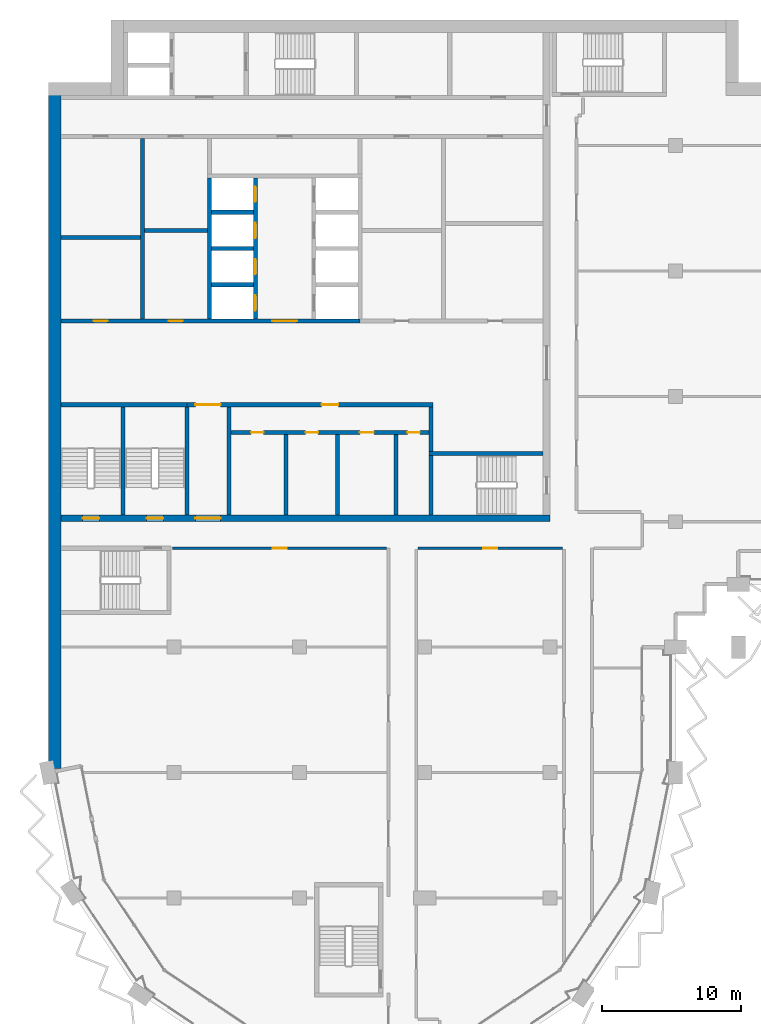
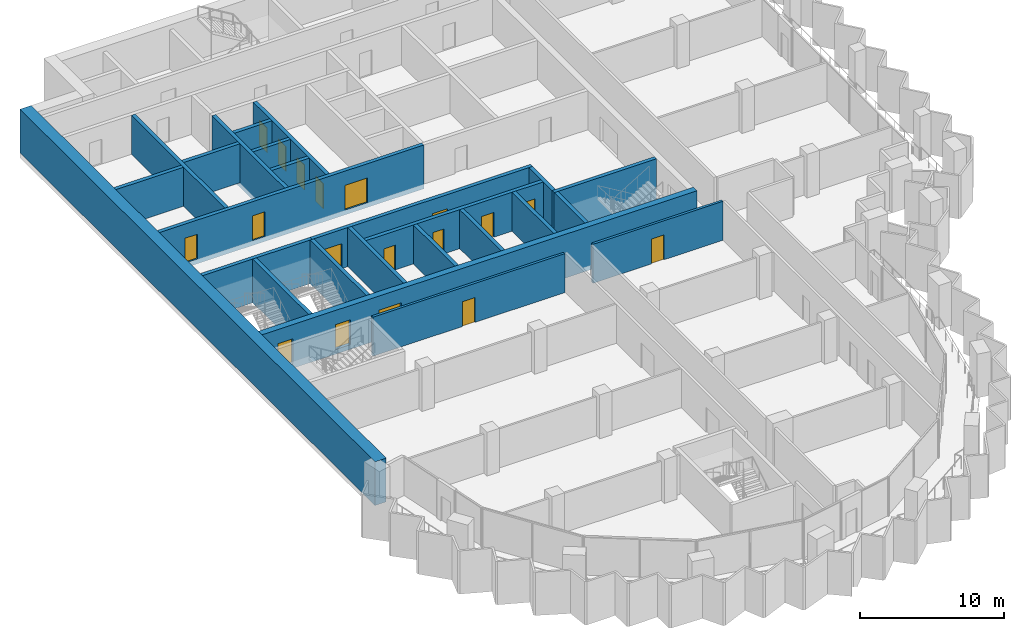
# One storey, part 7 of 15: 25 walls, 18 doors, 18 openings.
"""IFC4 building model written with IfcOpenShell, lengths in metres."""

import ifcopenshell
import ifcopenshell.guid

model = None  # the IFC model being written
_history = None  # IfcOwnerHistory: only IFC2X3 demands one
_inside = {}  # id of a spatial element -> (the spatial element, [elements in it])
_under = {}  # id of a project, library or spatial element -> (it, [spatial elements below it])
_declared = {}  # id of a project -> (the project, [libraries it declares])
_typed = {}  # id of a type object -> (the type object, [elements of that type])
_made_of = {}  # id of a material, layer set ... -> (it, [elements and type objects made of it])


def new_model(schema):
    """Start an empty IFC model of exactly this schema.

    Asked for "IFC4X3", IfcOpenShell would pick the latest addendum, in which some entities
    have other attributes; the version numbers below select the first issue.
    IFC2X3 requires an IfcOwnerHistory on every rooted entity: one is made here for all.
    """
    global model, _history
    if schema == "IFC4X3":
        model = ifcopenshell.file(schema_version=(4, 3, 0, 0))
    else:
        model = ifcopenshell.file(schema=schema)
    _inside.clear()
    _under.clear()
    _declared.clear()
    _typed.clear()
    _made_of.clear()
    _history = None
    if model.schema == "IFC2X3":
        org = make("IfcOrganization", Name="unknown")
        user = make(
            "IfcPersonAndOrganization",
            ThePerson=make("IfcPerson", FamilyName="unknown"),
            TheOrganization=org,
        )
        app = make(
            "IfcApplication",
            ApplicationDeveloper=org,
            Version="unknown",
            ApplicationFullName="unknown",
            ApplicationIdentifier="unknown",
        )
        _history = make(
            "IfcOwnerHistory",
            OwningUser=user,
            OwningApplication=app,
            ChangeAction="ADDED",
            CreationDate=0,
        )
    return model


def make(cls, **values):
    """One entity of the class cls with the attributes given. An attribute that is None is left unset."""
    return model.create_entity(
        cls, **{name: value for name, value in values.items() if value is not None}
    )


def rooted(cls, **values):
    """An entity with a GlobalId (a new one), such as an element, a storey or a relation."""
    return make(cls, GlobalId=ifcopenshell.guid.new(), OwnerHistory=_history, **values)


def si_unit(unit_type, name, prefix=None):
    """IfcSIUnit, for example si_unit("LENGTHUNIT", "METRE", prefix="MILLI")."""
    return make("IfcSIUnit", UnitType=unit_type, Prefix=prefix, Name=name)


def assignment(units):
    """IfcUnitAssignment: the units of a project."""
    return None if units is None else make("IfcUnitAssignment", Units=units)


def point(xyz):
    """IfcCartesianPoint."""
    return None if xyz is None else make("IfcCartesianPoint", Coordinates=xyz)


def direction(xyz):
    """IfcDirection."""
    return None if xyz is None else make("IfcDirection", DirectionRatios=xyz)


def frame(location, z_axis=None, x_axis=None):
    """IfcAxis2Placement3D, a coordinate frame: its origin and axes. An axis left out is left unset."""
    return make(
        "IfcAxis2Placement3D",
        Location=point(location),
        Axis=direction(z_axis),
        RefDirection=direction(x_axis),
    )


def frame_2d(location, x_axis=None):
    """IfcAxis2Placement2D, a coordinate frame in the plane: its origin and x axis."""
    return make(
        "IfcAxis2Placement2D", Location=point(location), RefDirection=direction(x_axis)
    )


def origin():
    """The frame at (0, 0, 0) with its axes left unset."""
    return frame((0.0, 0.0, 0.0))


def place(relative_to, where):
    """IfcLocalPlacement: puts the frame where relative to a parent placement (None: the world)."""
    return make(
        "IfcLocalPlacement", PlacementRelTo=relative_to, RelativePlacement=where
    )


def context(
    kind, dimensions, precision=None, world=None, true_north=None, identifier=None
):
    """IfcGeometricRepresentationContext, for example the 3D "Model" context."""
    return make(
        "IfcGeometricRepresentationContext",
        ContextIdentifier=identifier,
        ContextType=kind,
        CoordinateSpaceDimension=dimensions,
        Precision=precision,
        WorldCoordinateSystem=world,
        TrueNorth=true_north,
    )


def subcontext(parent, identifier, kind, view, scale=None):
    """IfcGeometricRepresentationSubContext, for example "Body" below "Model"."""
    return make(
        "IfcGeometricRepresentationSubContext",
        ContextIdentifier=identifier,
        ContextType=kind,
        ParentContext=parent,
        TargetScale=scale,
        TargetView=view,
    )


def project(units=None, contexts=None):
    """IfcProject with its units and contexts."""
    return rooted(
        "IfcProject",
        Name="project",
        RepresentationContexts=contexts,
        UnitsInContext=assignment(units),
    )


def spatial(cls, under=None, at=None, **own):
    """A site, building, storey or space (cls), placed at a placement, below another one or the project."""
    s = rooted(cls, ObjectPlacement=at, **own)
    if under is not None:
        _under.setdefault(under.id(), (under, []))[1].append(s)
    return s


def profile(cls, at=None, kind="AREA", **sizes):
    """A parametric profile (cls). Its sizes go by their IFC names, for example OverallWidth=200.0."""
    return make(cls, ProfileType=kind, Position=at, **sizes)


def rectangle(**sizes):
    """IfcRectangleProfileDef."""
    return profile("IfcRectangleProfileDef", **sizes)


def extrude(swept, where, along, depth):
    """IfcExtrudedAreaSolid: the profile swept, set in the frame where, extruded along a direction by depth."""
    return make(
        "IfcExtrudedAreaSolid",
        SweptArea=swept,
        Position=where,
        ExtrudedDirection=direction(along),
        Depth=depth,
    )


def shape(context_of_items, identifier, shape_type, items):
    """IfcShapeRepresentation: the items that make up one representation, for example the "Body"."""
    return make(
        "IfcShapeRepresentation",
        ContextOfItems=context_of_items,
        RepresentationIdentifier=identifier,
        RepresentationType=shape_type,
        Items=items,
    )


def material(Name=None, Category=None):
    """IfcMaterial."""
    return make("IfcMaterial", Name=Name, Category=Category)


def layer(
    of_material, thickness, ventilated=None, Name=None, Category=None, Priority=None
):
    """IfcMaterialLayer: one layer of a wall or slab, of a material (None: an air gap)."""
    return make(
        "IfcMaterialLayer",
        Material=of_material,
        LayerThickness=thickness,
        IsVentilated=ventilated,
        Name=Name,
        Category=Category,
        Priority=Priority,
    )


def layer_set(layers, Name=None):
    """IfcMaterialLayerSet."""
    return make("IfcMaterialLayerSet", MaterialLayers=layers, LayerSetName=Name)


def made_of(thing, what):
    """Note that an element or type object is made of a material, layer set ...; save() writes the relation."""
    if what is not None:
        _made_of.setdefault(what.id(), (what, []))[1].append(thing)
    return thing


def type_object(cls, material=None, **own):
    """A type object (cls), such as IfcWallType, which elements share."""
    return made_of(rooted(cls, **own), material)


def element(
    cls,
    number,
    at=None,
    inside=None,
    cuts=None,
    type_object=None,
    material=None,
    context=None,
    identifier="Body",
    shape_type=None,
    held_by="IfcProductDefinitionShape",
    body=None,
    shapes=None,
    **own,
):
    """One element of the class cls, such as IfcWall. Its Tag is "e" and its number.

    at: its placement. inside: the storey or other place that contains it. cuts: it is an
    opening in that element (IfcRelVoidsElement). A single representation is given by context,
    identifier, shape_type and body (its items); several are given by shapes. held_by: the class
    of the entity that holds the representations. save() writes the other relations.
    """
    e = rooted(cls, Tag="e%d" % number, ObjectPlacement=at, **own)
    if body is not None:
        shapes = [shape(context, identifier, shape_type, body)]
    if shapes is not None:
        e.Representation = make(held_by, Representations=shapes)
    if inside is not None:
        _inside.setdefault(inside.id(), (inside, []))[1].append(e)
    if cuts is not None:
        rooted(
            "IfcRelVoidsElement", RelatingBuildingElement=cuts, RelatedOpeningElement=e
        )
    if type_object is not None:
        _typed.setdefault(type_object.id(), (type_object, []))[1].append(e)
    return made_of(e, material)


def fill(opening, filler):
    """IfcRelFillsElement: the door or window that sits in an opening."""
    return rooted(
        "IfcRelFillsElement",
        RelatingOpeningElement=opening,
        RelatedBuildingElement=filler,
    )


def aggregate(whole, parts):
    """IfcRelAggregates: a whole, such as a stair, and the parts it consists of."""
    return rooted("IfcRelAggregates", RelatingObject=whole, RelatedObjects=parts)


def save(model, path):
    """Write the relations noted so far, then the file.

    IfcRelAggregates (storeys below a building ...), IfcRelContainedInSpatialStructure (elements
    in a storey), IfcRelDefinesByType, IfcRelAssociatesMaterial and IfcRelDeclares: one each for
    every whole, place, type object, material and project.
    """
    for whole, parts in _under.values():
        aggregate(whole, parts)
    for where, things in _inside.values():
        rooted(
            "IfcRelContainedInSpatialStructure",
            RelatedElements=things,
            RelatingStructure=where,
        )
    for kind, things in _typed.values():
        rooted("IfcRelDefinesByType", RelatedObjects=things, RelatingType=kind)
    for what, things in _made_of.values():
        rooted("IfcRelAssociatesMaterial", RelatedObjects=things, RelatingMaterial=what)
    for by, libraries in _declared.values():
        rooted("IfcRelDeclares", RelatingContext=by, RelatedDefinitions=libraries)
    model.write(path)


model = new_model("IFC4")

# Units and contexts
model_context = context("Model", 3, precision=1e-05, world=origin(), true_north=direction((0.0, 1.0)))
body_context = subcontext(model_context, "Body", "Model", "MODEL_VIEW")
ifc_project = project(units=[si_unit("LENGTHUNIT", "METRE"), si_unit("AREAUNIT", "SQUARE_METRE"), si_unit("VOLUMEUNIT", "CUBIC_METRE"), si_unit("PLANEANGLEUNIT", "RADIAN"), si_unit("MASSUNIT", "GRAM", prefix="KILO")], contexts=[model_context])

# Site, building, storey
site_placement = place(None, origin())
site = spatial("IfcSite", under=ifc_project, at=site_placement, CompositionType="ELEMENT")
building_placement = place(site_placement, origin())
building = spatial("IfcBuilding", under=site, at=building_placement, Name="Hunhe Ridgeline Campus", CompositionType="ELEMENT")
storey_placement = place(building_placement, frame((0.0, 0.0, 231.800048828125)))
storey = spatial("IfcBuildingStorey", under=building, at=storey_placement, Name="L59", CompositionType="ELEMENT", Elevation=231.800048828125)

# Wall, openings, doors
ifc_material_1 = material(Name="Masonry concrete blockwork", Category="masonry")
ifc_layer_1 = layer(ifc_material_1, 0.300048828125)
ifc_layer_set_1 = layer_set([ifc_layer_1], Name="Core room partition 300 concrete block")
wall_type_1 = type_object("IfcWallType", Name="Core room partition 300 concrete block", PredefinedType="PARTITIONING", material=ifc_layer_set_1)
wall_1_placement = place(storey_placement, frame((13.10009765625, 69.39990234375, 0.0), z_axis=(0.0, 0.0, 1.0), x_axis=(1.0, 0.0, 0.0)))
wall_1 = element("IfcWall", 1, at=wall_1_placement, inside=storey, type_object=wall_type_1, Name="L59 core partition 7", PredefinedType="PARTITIONING", context=body_context, shape_type="SweptSolid", body=[
    extrude(rectangle(XDim=14.199951171875, YDim=0.300048828125, at=frame_2d((7.10009765625, 0.0))), origin(), (0.0, 0.0, 1.0), 3.300048828125),
])
opening_1_placement = place(wall_1_placement, frame((1.449951171875, 0.0, 0.0)))
opening_1 = element("IfcOpeningElement", 2, at=opening_1_placement, cuts=wall_1, Name="Opening CD8", PredefinedType="OPENING", context=body_context, shape_type="SweptSolid", body=[
    extrude(rectangle(XDim=0.89990234375, YDim=2.10009765625, at=frame_2d((0.449951171875, 1.050048828125))), frame((0.0, 0.14990234375, 0.0), z_axis=(0.0, -1.0, 0.0), x_axis=(1.0, 0.0, 0.0)), (0.0, 0.0, 1.0), 0.300048828125),
])
opening_2_placement = place(wall_1_placement, frame((5.35009765625, 0.0, 0.0)))
opening_2 = element("IfcOpeningElement", 3, at=opening_2_placement, cuts=wall_1, Name="Opening CD9", PredefinedType="OPENING", context=body_context, shape_type="SweptSolid", body=[
    extrude(rectangle(XDim=0.89990234375, YDim=2.10009765625, at=frame_2d((0.449951171875, 1.050048828125))), frame((0.0, 0.14990234375, 0.0), z_axis=(0.0, -1.0, 0.0), x_axis=(1.0, 0.0, 0.0)), (0.0, 0.0, 1.0), 0.300048828125),
])
opening_3_placement = place(wall_1_placement, frame((9.25, 0.0, 0.0)))
opening_3 = element("IfcOpeningElement", 4, at=opening_3_placement, cuts=wall_1, Name="Opening CD10", PredefinedType="OPENING", context=body_context, shape_type="SweptSolid", body=[
    extrude(rectangle(XDim=1.0, YDim=2.10009765625, at=frame_2d((0.5, 1.050048828125))), frame((0.0, 0.14990234375, 0.0), z_axis=(0.0, -1.0, 0.0), x_axis=(1.0, 0.0, 0.0)), (0.0, 0.0, 1.0), 0.300048828125),
])
opening_4_placement = place(wall_1_placement, frame((12.64990234375, 0.0, 0.0)))
opening_4 = element("IfcOpeningElement", 5, at=opening_4_placement, cuts=wall_1, Name="Opening CD11", PredefinedType="OPENING", context=body_context, shape_type="SweptSolid", body=[
    extrude(rectangle(XDim=0.89990234375, YDim=2.10009765625, at=frame_2d((0.449951171875, 1.050048828125))), frame((0.0, 0.14990234375, 0.0), z_axis=(0.0, -1.0, 0.0), x_axis=(1.0, 0.0, 0.0)), (0.0, 0.0, 1.0), 0.300048828125),
])
ifc_material_2 = material(Name="Solid core timber door leaf", Category="wood")
door_type_1 = type_object("IfcDoorType", Name="Timber door 1000x2100", OperationType="SINGLE_SWING_LEFT", PredefinedType="DOOR", material=ifc_material_2)
door_1_placement = place(opening_3_placement, frame((1.0, 0.0, 0.0), z_axis=(0.0, 0.0, 1.0), x_axis=(-1.0, 0.0, 0.0)))
door_1 = element("IfcDoor", 6, at=door_1_placement, inside=storey, type_object=door_type_1, Name="L59 door WC3", OperationType="SINGLE_SWING_LEFT", OverallHeight=2.10009765625, OverallWidth=1.0, PredefinedType="DOOR", context=body_context, shape_type="SweptSolid", body=[
    extrude(rectangle(XDim=1.0, YDim=2.10009765625, at=frame_2d((0.5, 1.050048828125))), frame((0.0, 0.02490234375, 0.0), z_axis=(0.0, -1.0, 0.0), x_axis=(1.0, 0.0, 0.0)), (0.0, 0.0, 1.0), 0.050048828125),
])
fill(opening_3, door_1)
door_type_2 = type_object("IfcDoorType", Name="Timber door 900x2100", OperationType="SINGLE_SWING_LEFT", PredefinedType="DOOR", material=ifc_material_2)
door_2_placement = place(opening_1_placement, frame((0.89990234375, 0.0, 0.0), z_axis=(0.0, 0.0, 1.0), x_axis=(-1.0, 0.0, 0.0)))
door_2 = element("IfcDoor", 7, at=door_2_placement, inside=storey, type_object=door_type_2, Name="L59 door WC1", OperationType="SINGLE_SWING_LEFT", OverallHeight=2.10009765625, OverallWidth=0.89990234375, PredefinedType="DOOR", context=body_context, shape_type="SweptSolid", body=[
    extrude(rectangle(XDim=0.89990234375, YDim=2.10009765625, at=frame_2d((0.449951171875, 1.050048828125))), frame((0.0, 0.02490234375, 0.0), z_axis=(0.0, -1.0, 0.0), x_axis=(1.0, 0.0, 0.0)), (0.0, 0.0, 1.0), 0.050048828125),
])
fill(opening_1, door_2)
door_3_placement = place(opening_2_placement, frame((0.89990234375, 0.0, 0.0), z_axis=(0.0, 0.0, 1.0), x_axis=(-1.0, 0.0, 0.0)))
door_3 = element("IfcDoor", 8, at=door_3_placement, inside=storey, type_object=door_type_2, Name="L59 door WC2", OperationType="SINGLE_SWING_RIGHT", OverallHeight=2.10009765625, OverallWidth=0.89990234375, PredefinedType="DOOR", context=body_context, shape_type="SweptSolid", body=[
    extrude(rectangle(XDim=0.89990234375, YDim=2.10009765625, at=frame_2d((0.449951171875, 1.050048828125))), frame((0.0, 0.02490234375, 0.0), z_axis=(0.0, -1.0, 0.0), x_axis=(1.0, 0.0, 0.0)), (0.0, 0.0, 1.0), 0.050048828125),
])
fill(opening_2, door_3)
door_4_placement = place(opening_4_placement, frame((0.89990234375, 0.0, 0.0), z_axis=(0.0, 0.0, 1.0), x_axis=(-1.0, 0.0, 0.0)))
door_4 = element("IfcDoor", 9, at=door_4_placement, inside=storey, type_object=door_type_2, Name="L59 door WC4", OperationType="SINGLE_SWING_RIGHT", OverallHeight=2.10009765625, OverallWidth=0.89990234375, PredefinedType="DOOR", context=body_context, shape_type="SweptSolid", body=[
    extrude(rectangle(XDim=0.89990234375, YDim=2.10009765625, at=frame_2d((0.449951171875, 1.050048828125))), frame((0.0, 0.02490234375, 0.0), z_axis=(0.0, -1.0, 0.0), x_axis=(1.0, 0.0, 0.0)), (0.0, 0.0, 1.0), 0.050048828125),
])
fill(opening_4, door_4)

wall_2_placement = place(storey_placement, frame((9.949951171875, 71.39990234375, 0.0), z_axis=(0.0, 0.0, 1.0), x_axis=(1.0, 0.0, 0.0)))
wall_2 = element("IfcWall", 10, at=wall_2_placement, inside=storey, type_object=wall_type_1, Name="L59 core partition 9", PredefinedType="PARTITIONING", context=body_context, shape_type="SweptSolid", body=[
    extrude(rectangle(XDim=17.650146484375, YDim=0.300048828125, at=frame_2d((8.8251953125, 0.0))), origin(), (0.0, 0.0, 1.0), 3.300048828125),
])
opening_5_placement = place(wall_2_placement, frame((0.60009765625, 0.0, 0.0)))
opening_5 = element("IfcOpeningElement", 11, at=opening_5_placement, cuts=wall_2, Name="Opening CD7", PredefinedType="OPENING", context=body_context, shape_type="SweptSolid", body=[
    extrude(rectangle(XDim=1.800048828125, YDim=2.10009765625, at=frame_2d((0.89990234375, 1.050048828125))), frame((0.0, 0.14990234375, 0.0), z_axis=(0.0, -1.0, 0.0), x_axis=(1.0, 0.0, 0.0)), (0.0, 0.0, 1.0), 0.300048828125),
])
opening_6_placement = place(wall_2_placement, frame((9.64990234375, 0.0, 0.0)))
opening_6 = element("IfcOpeningElement", 12, at=opening_6_placement, cuts=wall_2, Name="Opening CD12", PredefinedType="OPENING", context=body_context, shape_type="SweptSolid", body=[
    extrude(rectangle(XDim=1.199951171875, YDim=2.10009765625, at=frame_2d((0.60009765625, 1.050048828125))), frame((0.0, 0.14990234375, 0.0), z_axis=(0.0, -1.0, 0.0), x_axis=(1.0, 0.0, 0.0)), (0.0, 0.0, 1.0), 0.300048828125),
])
ifc_material_3 = material(Name="Anodised aluminium and glass", Category="aluminium")
door_type_3 = type_object("IfcDoorType", Name="Glazed double door 1800x2100", OperationType="DOUBLE_DOOR_SINGLE_SWING", PredefinedType="DOOR", material=ifc_material_3)
door_5_placement = place(opening_5_placement, origin())
door_5 = element("IfcDoor", 13, at=door_5_placement, inside=storey, type_object=door_type_3, Name="L59 door VEST-HALL", OperationType="DOUBLE_DOOR_SINGLE_SWING", OverallHeight=2.10009765625, OverallWidth=1.800048828125, PredefinedType="DOOR", context=body_context, shape_type="SweptSolid", body=[
    extrude(rectangle(XDim=1.800048828125, YDim=2.10009765625, at=frame_2d((0.89990234375, 1.050048828125))), frame((0.0, 0.02490234375, 0.0), z_axis=(0.0, -1.0, 0.0), x_axis=(1.0, 0.0, 0.0)), (0.0, 0.0, 1.0), 0.050048828125),
])
fill(opening_5, door_5)
door_type_4 = type_object("IfcDoorType", Name="Timber door 1200x2100", OperationType="SINGLE_SWING_LEFT", PredefinedType="DOOR", material=ifc_material_2)
door_6_placement = place(opening_6_placement, origin())
door_6 = element("IfcDoor", 14, at=door_6_placement, inside=storey, type_object=door_type_4, Name="L59 door WCL2-HALL", OperationType="SINGLE_SWING_RIGHT", OverallHeight=2.10009765625, OverallWidth=1.199951171875, PredefinedType="DOOR", context=body_context, shape_type="SweptSolid", body=[
    extrude(rectangle(XDim=1.199951171875, YDim=2.10009765625, at=frame_2d((0.60009765625, 1.050048828125))), frame((0.0, 0.02490234375, 0.0), z_axis=(0.0, -1.0, 0.0), x_axis=(1.0, 0.0, 0.0)), (0.0, 0.0, 1.0), 0.050048828125),
])
fill(opening_6, door_6)

# Walls
wall_3_placement = place(storey_placement, frame((0.89990234375, 83.39990234375, 0.0), z_axis=(0.0, 0.0, 1.0), x_axis=(1.0, 0.0, 0.0)))
element("IfcWall", 15, at=wall_3_placement, inside=storey, type_object=wall_type_1, Name="L59 core partition 16", PredefinedType="PARTITIONING", context=body_context, shape_type="SweptSolid", body=[
    extrude(rectangle(XDim=5.7001953125, YDim=0.300048828125, at=frame_2d((2.85009765625, 0.0))), origin(), (0.0, 0.0, 1.0), 3.300048828125),
])
wall_4_placement = place(storey_placement, frame((6.89990234375, 83.89990234375, 0.0), z_axis=(0.0, 0.0, 1.0), x_axis=(1.0, 0.0, 0.0)))
element("IfcWall", 16, at=wall_4_placement, inside=storey, type_object=wall_type_1, Name="L59 core partition 17", PredefinedType="PARTITIONING", context=body_context, shape_type="SweptSolid", body=[
    extrude(rectangle(XDim=4.5, YDim=0.300048828125, at=frame_2d((2.25, 0.0))), origin(), (0.0, 0.0, 1.0), 3.300048828125),
])
wall_5_placement = place(storey_placement, frame((6.75, 77.550048828125, 0.0), z_axis=(0.0, 0.0, 1.0), x_axis=(0.0, 1.0, 0.0)))
element("IfcWall", 17, at=wall_5_placement, inside=storey, type_object=wall_type_1, Name="L59 core partition 29", PredefinedType="PARTITIONING", context=body_context, shape_type="SweptSolid", body=[
    extrude(rectangle(XDim=12.949951171875, YDim=0.300048828125, at=frame_2d((6.47509765625, 0.0))), origin(), (0.0, 0.0, 1.0), 3.300048828125),
])
wall_6_placement = place(storey_placement, frame((12.949951171875, 63.5, 0.0), z_axis=(0.0, 0.0, 1.0), x_axis=(0.0, 1.0, 0.0)))
element("IfcWall", 18, at=wall_6_placement, inside=storey, type_object=wall_type_1, Name="L59 core partition 35", PredefinedType="PARTITIONING", context=body_context, shape_type="SweptSolid", body=[
    extrude(rectangle(XDim=7.75, YDim=0.300048828125, at=frame_2d((3.875, 0.0))), origin(), (0.0, 0.0, 1.0), 3.300048828125),
])
for number, where, z_axis, x_axis, name in (
    (19, (17.050048828125, 63.5, 0.0), (0.0, 0.0, 1.0), (0.0, 1.0, 0.0), "L59 core partition 38"),
    (20, (20.75, 63.5, 0.0), (0.0, 0.0, 1.0), (0.0, 1.0, 0.0), "L59 core partition 41"),
    (21, (24.949951171875, 63.5, 0.0), (0.0, 0.0, 1.0), (0.0, 1.0, 0.0), "L59 core partition 46"),
):
    element("IfcWall", number, at=place(storey_placement, frame(where, z_axis=z_axis, x_axis=x_axis)), inside=storey, type_object=wall_type_1, Name=name, PredefinedType="PARTITIONING", context=body_context, shape_type="SweptSolid", body=[
        extrude(rectangle(XDim=5.75, YDim=0.300048828125, at=frame_2d((2.875, 0.0))), origin(), (0.0, 0.0, 1.0), 3.300048828125),
    ])
wall_7_placement = place(storey_placement, frame((27.449951171875, 68.050048828125, 0.0), z_axis=(0.0, 0.0, 1.0), x_axis=(0.0, 1.0, 0.0)))
element("IfcWall", 22, at=wall_7_placement, inside=storey, type_object=wall_type_1, Name="L59 core partition 48", PredefinedType="PARTITIONING", context=body_context, shape_type="SweptSolid", body=[
    extrude(rectangle(XDim=3.199951171875, YDim=0.300048828125, at=frame_2d((1.60009765625, 0.0))), origin(), (0.0, 0.0, 1.0), 3.300048828125),
])

# Wall, openings, doors
ifc_material_4 = material(Name="Concrete C50", Category="concrete")
ifc_layer_2 = layer(ifc_material_4, 0.5)
ifc_layer_set_2 = layer_set([ifc_layer_2], Name="Core wall 500 reinforced concrete C50")
wall_type_2 = type_object("IfcWallType", Name="Core wall 500 reinforced concrete C50", PredefinedType="SOLIDWALL", material=ifc_layer_set_2)
wall_8_placement = place(storey_placement, frame((0.89990234375, 63.25, -0.400146484375), z_axis=(0.0, 0.0, 1.0), x_axis=(1.0, 0.0, 0.0)))
wall_8 = element("IfcWall", 23, at=wall_8_placement, inside=storey, type_object=wall_type_2, Name="L59 core wall 5", PredefinedType="SOLIDWALL", context=body_context, shape_type="SweptSolid", body=[
    extrude(rectangle(XDim=35.10009765625, YDim=0.5, at=frame_2d((17.550048828125, 0.0))), origin(), (0.0, 0.0, 1.0), 3.7001953125),
])
opening_7_placement = place(wall_8_placement, frame((9.64990234375, 0.0, 0.39990234375)))
opening_7 = element("IfcOpeningElement", 24, at=opening_7_placement, cuts=wall_8, Name="Opening CD6", PredefinedType="OPENING", context=body_context, shape_type="SweptSolid", body=[
    extrude(rectangle(XDim=1.800048828125, YDim=2.10009765625, at=frame_2d((0.89990234375, 1.050048828125))), frame((0.0, 0.25, 0.0), z_axis=(0.0, -1.0, 0.0), x_axis=(1.0, 0.0, 0.0)), (0.0, 0.0, 1.0), 0.5),
])
opening_8_placement = place(wall_8_placement, frame((1.550048828125, 0.0, 0.39990234375)))
opening_8 = element("IfcOpeningElement", 25, at=opening_8_placement, cuts=wall_8, Name="Opening CD13", PredefinedType="OPENING", context=body_context, shape_type="SweptSolid", body=[
    extrude(rectangle(XDim=1.199951171875, YDim=2.10009765625, at=frame_2d((0.60009765625, 1.050048828125))), frame((0.0, 0.25, 0.0), z_axis=(0.0, -1.0, 0.0), x_axis=(1.0, 0.0, 0.0)), (0.0, 0.0, 1.0), 0.5),
])
opening_9_placement = place(wall_8_placement, frame((6.14990234375, 0.0, 0.39990234375)))
opening_9 = element("IfcOpeningElement", 26, at=opening_9_placement, cuts=wall_8, Name="Opening CD14", PredefinedType="OPENING", context=body_context, shape_type="SweptSolid", body=[
    extrude(rectangle(XDim=1.199951171875, YDim=2.10009765625, at=frame_2d((0.60009765625, 1.050048828125))), frame((0.0, 0.25, 0.0), z_axis=(0.0, -1.0, 0.0), x_axis=(1.0, 0.0, 0.0)), (0.0, 0.0, 1.0), 0.5),
])
door_7_placement = place(opening_7_placement, frame((1.800048828125, 0.0, 0.0), z_axis=(0.0, 0.0, 1.0), x_axis=(-1.0, 0.0, 0.0)))
door_7 = element("IfcDoor", 27, at=door_7_placement, inside=storey, type_object=door_type_3, Name="L59 door VEST-FLOOR", OperationType="DOUBLE_DOOR_SINGLE_SWING", OverallHeight=2.10009765625, OverallWidth=1.800048828125, PredefinedType="DOOR", context=body_context, shape_type="SweptSolid", body=[
    extrude(rectangle(XDim=1.800048828125, YDim=2.10009765625, at=frame_2d((0.89990234375, 1.050048828125))), frame((0.0, 0.02490234375, 0.0), z_axis=(0.0, -1.0, 0.0), x_axis=(1.0, 0.0, 0.0)), (0.0, 0.0, 1.0), 0.050048828125),
])
fill(opening_7, door_7)
ifc_material_5 = material(Name="Hollow metal fire door leaf")
door_type_5 = type_object("IfcDoorType", Name="Stair door 1200x2100 FD60", OperationType="SINGLE_SWING_LEFT", PredefinedType="DOOR", material=ifc_material_5)
door_8_placement = place(opening_8_placement, frame((1.199951171875, 0.0, 0.0), z_axis=(0.0, 0.0, 1.0), x_axis=(-1.0, 0.0, 0.0)))
door_8 = element("IfcDoor", 28, at=door_8_placement, inside=storey, type_object=door_type_5, Name="L59 door S3", OperationType="SINGLE_SWING_LEFT", OverallHeight=2.10009765625, OverallWidth=1.199951171875, PredefinedType="DOOR", context=body_context, shape_type="SweptSolid", body=[
    extrude(rectangle(XDim=1.199951171875, YDim=2.10009765625, at=frame_2d((0.60009765625, 1.050048828125))), frame((0.0, 0.02490234375, 0.0), z_axis=(0.0, -1.0, 0.0), x_axis=(1.0, 0.0, 0.0)), (0.0, 0.0, 1.0), 0.050048828125),
])
fill(opening_8, door_8)
door_9_placement = place(opening_9_placement, frame((1.199951171875, 0.0, 0.0), z_axis=(0.0, 0.0, 1.0), x_axis=(-1.0, 0.0, 0.0)))
door_9 = element("IfcDoor", 29, at=door_9_placement, inside=storey, type_object=door_type_5, Name="L59 door S4", OperationType="SINGLE_SWING_RIGHT", OverallHeight=2.10009765625, OverallWidth=1.199951171875, PredefinedType="DOOR", context=body_context, shape_type="SweptSolid", body=[
    extrude(rectangle(XDim=1.199951171875, YDim=2.10009765625, at=frame_2d((0.60009765625, 1.050048828125))), frame((0.0, 0.02490234375, 0.0), z_axis=(0.0, -1.0, 0.0), x_axis=(1.0, 0.0, 0.0)), (0.0, 0.0, 1.0), 0.050048828125),
])
fill(opening_9, door_9)

# Wall, opening, door
ifc_material_6 = material(Name="Gypsum board partition")
ifc_layer_3 = layer(ifc_material_6, 0.199951171875)
ifc_layer_set_3 = layer_set([ifc_layer_3], Name="Corridor partition 200 gypsum board on steel studs")
wall_type_3 = type_object("IfcWallType", Name="Corridor partition 200 gypsum board on steel studs", PredefinedType="PARTITIONING", material=ifc_layer_set_3)
wall_9_placement = place(storey_placement, frame((24.265380859375, 61.10009765625, 0.0), z_axis=(0.0, 0.0, 1.0), x_axis=(-1.0, 0.0, 0.0)))
wall_9 = element("IfcWall", 30, at=wall_9_placement, inside=storey, type_object=wall_type_3, Name="F-L59-wall-019", PredefinedType="PARTITIONING", context=body_context, shape_type="SweptSolid", body=[
    extrude(rectangle(XDim=15.361328125, YDim=0.199951171875, at=frame_2d((7.6806640625, 0.0))), origin(), (0.0, 0.0, 1.0), 3.300048828125),
])
opening_10_placement = place(wall_9_placement, frame((7.1806640625, 0.0, 0.0)))
opening_10 = element("IfcOpeningElement", 31, at=opening_10_placement, cuts=wall_9, Name="Opening RD1-011", PredefinedType="OPENING", context=body_context, shape_type="SweptSolid", body=[
    extrude(rectangle(XDim=1.0, YDim=2.10009765625, at=frame_2d((0.5, 1.050048828125))), frame((0.0, 0.10009765625, 0.0), z_axis=(0.0, -1.0, 0.0), x_axis=(1.0, 0.0, 0.0)), (0.0, 0.0, 1.0), 0.199951171875),
])
ifc_material_7 = material(Name="Timber door leaf", Category="wood")
door_type_6 = type_object("IfcDoorType", Name="Single fire door 1000x2100 timber FD60", OperationType="NOTDEFINED", PredefinedType="DOOR", material=ifc_material_7)
door_10_placement = place(opening_10_placement, origin())
door_10 = element("IfcDoor", 32, at=door_10_placement, inside=storey, type_object=door_type_6, Name="F-L59-door-011", OperationType="SINGLE_SWING_LEFT", OverallHeight=2.10009765625, OverallWidth=1.0, PredefinedType="DOOR", context=body_context, shape_type="SweptSolid", body=[
    extrude(rectangle(XDim=1.0, YDim=2.10009765625, at=frame_2d((0.5, 1.050048828125))), frame((0.0, 0.02490234375, 0.0), z_axis=(0.0, -1.0, 0.0), x_axis=(1.0, 0.0, 0.0)), (0.0, 0.0, 1.0), 0.050048828125),
])
fill(opening_10, door_10)

wall_10_placement = place(storey_placement, frame((36.89990234375, 61.10009765625, 0.0), z_axis=(0.0, 0.0, 1.0), x_axis=(-1.0, 0.0, 0.0)))
wall_10 = element("IfcWall", 33, at=wall_10_placement, inside=storey, type_object=wall_type_3, Name="F-L59-wall-020", PredefinedType="PARTITIONING", context=body_context, shape_type="SweptSolid", body=[
    extrude(rectangle(XDim=10.39990234375, YDim=0.199951171875, at=frame_2d((5.199951171875, 0.0))), origin(), (0.0, 0.0, 1.0), 3.300048828125),
])
opening_11_placement = place(wall_10_placement, frame((4.699951171875, 0.0, 0.0)))
opening_11 = element("IfcOpeningElement", 34, at=opening_11_placement, cuts=wall_10, Name="Opening RD1-012", PredefinedType="OPENING", context=body_context, shape_type="SweptSolid", body=[
    extrude(rectangle(XDim=1.0, YDim=2.10009765625, at=frame_2d((0.5, 1.050048828125))), frame((0.0, 0.10009765625, 0.0), z_axis=(0.0, -1.0, 0.0), x_axis=(1.0, 0.0, 0.0)), (0.0, 0.0, 1.0), 0.199951171875),
])
door_11_placement = place(opening_11_placement, origin())
door_11 = element("IfcDoor", 35, at=door_11_placement, inside=storey, type_object=door_type_6, Name="F-L59-door-012", OperationType="SINGLE_SWING_LEFT", OverallHeight=2.10009765625, OverallWidth=1.0, PredefinedType="DOOR", context=body_context, shape_type="SweptSolid", body=[
    extrude(rectangle(XDim=1.0, YDim=2.10009765625, at=frame_2d((0.5, 1.050048828125))), frame((0.0, 0.02490234375, 0.0), z_axis=(0.0, -1.0, 0.0), x_axis=(1.0, 0.0, 0.0)), (0.0, 0.0, 1.0), 0.050048828125),
])
fill(opening_11, door_11)

# Wall, openings, doors
ifc_layer_4 = layer(ifc_material_4, 0.300048828125)
ifc_layer_set_4 = layer_set([ifc_layer_4], Name="Shaft wall 300 reinforced concrete C50")
wall_type_4 = type_object("IfcWallType", Name="Shaft wall 300 reinforced concrete C50", PredefinedType="SOLIDWALL", material=ifc_layer_set_4)
wall_11_placement = place(storey_placement, frame((0.89990234375, 77.39990234375, -0.400146484375), z_axis=(0.0, 0.0, 1.0), x_axis=(1.0, 0.0, 0.0)))
wall_11 = element("IfcWall", 36, at=wall_11_placement, inside=storey, type_object=wall_type_4, Name="L59 core wall 10", PredefinedType="SOLIDWALL", context=body_context, shape_type="SweptSolid", body=[
    extrude(rectangle(XDim=21.4501953125, YDim=0.300048828125, at=frame_2d((10.72509765625, 0.0))), origin(), (0.0, 0.0, 1.0), 3.7001953125),
])
opening_12_placement = place(wall_11_placement, frame((15.14990234375, 0.0, 0.39990234375)))
opening_12 = element("IfcOpeningElement", 37, at=opening_12_placement, cuts=wall_11, Name="Opening CD38", PredefinedType="OPENING", context=body_context, shape_type="SweptSolid", body=[
    extrude(rectangle(XDim=1.800048828125, YDim=2.10009765625, at=frame_2d((0.89990234375, 1.050048828125))), frame((0.0, 0.14990234375, 0.0), z_axis=(0.0, -1.0, 0.0), x_axis=(1.0, 0.0, 0.0)), (0.0, 0.0, 1.0), 0.300048828125),
])
opening_13_placement = place(wall_11_placement, frame((2.35009765625, 0.0, 0.39990234375)))
opening_13 = element("IfcOpeningElement", 38, at=opening_13_placement, cuts=wall_11, Name="Opening CD39", PredefinedType="OPENING", context=body_context, shape_type="SweptSolid", body=[
    extrude(rectangle(XDim=1.0, YDim=2.10009765625, at=frame_2d((0.5, 1.050048828125))), frame((0.0, 0.14990234375, 0.0), z_axis=(0.0, -1.0, 0.0), x_axis=(1.0, 0.0, 0.0)), (0.0, 0.0, 1.0), 0.300048828125),
])
opening_14_placement = place(wall_11_placement, frame((7.75, 0.0, 0.39990234375)))
opening_14 = element("IfcOpeningElement", 39, at=opening_14_placement, cuts=wall_11, Name="Opening CD41", PredefinedType="OPENING", context=body_context, shape_type="SweptSolid", body=[
    extrude(rectangle(XDim=1.0, YDim=2.10009765625, at=frame_2d((0.5, 1.050048828125))), frame((0.0, 0.14990234375, 0.0), z_axis=(0.0, -1.0, 0.0), x_axis=(1.0, 0.0, 0.0)), (0.0, 0.0, 1.0), 0.300048828125),
])
door_type_7 = type_object("IfcDoorType", Name="Lobby door 1800x2100 FD60", OperationType="SINGLE_SWING_LEFT", PredefinedType="DOOR", material=ifc_material_5)
door_12_placement = place(opening_12_placement, frame((1.800048828125, 0.0, 0.0), z_axis=(0.0, 0.0, 1.0), x_axis=(-1.0, 0.0, 0.0)))
door_12 = element("IfcDoor", 40, at=door_12_placement, inside=storey, type_object=door_type_7, Name="L59 door LOB-HR", OperationType="SINGLE_SWING_RIGHT", OverallHeight=2.10009765625, OverallWidth=1.800048828125, PredefinedType="DOOR", context=body_context, shape_type="SweptSolid", body=[
    extrude(rectangle(XDim=1.800048828125, YDim=2.10009765625, at=frame_2d((0.89990234375, 1.050048828125))), frame((0.0, 0.02490234375, 0.0), z_axis=(0.0, -1.0, 0.0), x_axis=(1.0, 0.0, 0.0)), (0.0, 0.0, 1.0), 0.050048828125),
])
fill(opening_12, door_12)
door_13_placement = place(opening_13_placement, origin())
door_13 = element("IfcDoor", 41, at=door_13_placement, inside=storey, type_object=door_type_1, Name="L59 door VD-LR0", OperationType="SINGLE_SWING_RIGHT", OverallHeight=2.10009765625, OverallWidth=1.0, PredefinedType="DOOR", context=body_context, shape_type="SweptSolid", body=[
    extrude(rectangle(XDim=1.0, YDim=2.10009765625, at=frame_2d((0.5, 1.050048828125))), frame((0.0, 0.02490234375, 0.0), z_axis=(0.0, -1.0, 0.0), x_axis=(1.0, 0.0, 0.0)), (0.0, 0.0, 1.0), 0.050048828125),
])
fill(opening_13, door_13)
door_14_placement = place(opening_14_placement, origin())
door_14 = element("IfcDoor", 42, at=door_14_placement, inside=storey, type_object=door_type_1, Name="L59 door VD-LR2", OperationType="SINGLE_SWING_RIGHT", OverallHeight=2.10009765625, OverallWidth=1.0, PredefinedType="DOOR", context=body_context, shape_type="SweptSolid", body=[
    extrude(rectangle(XDim=1.0, YDim=2.10009765625, at=frame_2d((0.5, 1.050048828125))), frame((0.0, 0.02490234375, 0.0), z_axis=(0.0, -1.0, 0.0), x_axis=(1.0, 0.0, 0.0)), (0.0, 0.0, 1.0), 0.050048828125),
])
fill(opening_14, door_14)

# Walls
for number, where, z_axis, x_axis, name in (
    (43, (11.699951171875, 80.0, -0.400146484375), (0.0, 0.0, 1.0), (1.0, 0.0, 0.0), "L59 core wall 12"),
    (44, (11.699951171875, 82.60009765625, -0.400146484375), (0.0, 0.0, 1.0), (1.0, 0.0, 0.0), "L59 core wall 14"),
    (45, (11.699951171875, 85.199951171875, -0.400146484375), (0.0, 0.0, 1.0), (1.0, 0.0, 0.0), "L59 core wall 20"),
):
    element("IfcWall", number, at=place(storey_placement, frame(where, z_axis=z_axis, x_axis=x_axis)), inside=storey, type_object=wall_type_4, Name=name, PredefinedType="SOLIDWALL", context=body_context, shape_type="SweptSolid", body=[
        extrude(rectangle(XDim=3.0, YDim=0.300048828125, at=frame_2d((1.5, 0.0))), origin(), (0.0, 0.0, 1.0), 3.7001953125),
    ])
wall_12_placement = place(storey_placement, frame((11.550048828125, 77.550048828125, -0.400146484375), z_axis=(0.0, 0.0, 1.0), x_axis=(0.0, 1.0, 0.0)))
element("IfcWall", 46, at=wall_12_placement, inside=storey, type_object=wall_type_4, Name="L59 core wall 33", PredefinedType="SOLIDWALL", context=body_context, shape_type="SweptSolid", body=[
    extrude(rectangle(XDim=10.099853515625, YDim=0.300048828125, at=frame_2d((5.0498046875, 0.0))), origin(), (0.0, 0.0, 1.0), 3.7001953125),
])

# Wall, openings, doors
wall_13_placement = place(storey_placement, frame((14.85009765625, 77.550048828125, -0.400146484375), z_axis=(0.0, 0.0, 1.0), x_axis=(0.0, 1.0, 0.0)))
wall_13 = element("IfcWall", 47, at=wall_13_placement, inside=storey, type_object=wall_type_4, Name="L59 core wall 37", PredefinedType="SOLIDWALL", context=body_context, shape_type="SweptSolid", body=[
    extrude(rectangle(XDim=10.099853515625, YDim=0.300048828125, at=frame_2d((5.0498046875, 0.0))), origin(), (0.0, 0.0, 1.0), 3.7001953125),
])
opening_15_placement = place(wall_13_placement, frame((0.60009765625, 0.0, 0.39990234375)))
opening_15 = element("IfcOpeningElement", 48, at=opening_15_placement, cuts=wall_13, Name="Opening LD-HR1", PredefinedType="OPENING", context=body_context, shape_type="SweptSolid", body=[
    extrude(rectangle(XDim=1.10009765625, YDim=2.10009765625, at=frame_2d((0.550048828125, 1.050048828125))), frame((0.0, 0.14990234375, 0.0), z_axis=(0.0, -1.0, 0.0), x_axis=(1.0, 0.0, 0.0)), (0.0, 0.0, 1.0), 0.300048828125),
])
opening_16_placement = place(wall_13_placement, frame((3.199951171875, 0.0, 0.39990234375)))
opening_16 = element("IfcOpeningElement", 49, at=opening_16_placement, cuts=wall_13, Name="Opening LD-HR2", PredefinedType="OPENING", context=body_context, shape_type="SweptSolid", body=[
    extrude(rectangle(XDim=1.10009765625, YDim=2.10009765625, at=frame_2d((0.550048828125, 1.050048828125))), frame((0.0, 0.14990234375, 0.0), z_axis=(0.0, -1.0, 0.0), x_axis=(1.0, 0.0, 0.0)), (0.0, 0.0, 1.0), 0.300048828125),
])
opening_17_placement = place(wall_13_placement, frame((5.800048828125, 0.0, 0.39990234375)))
opening_17 = element("IfcOpeningElement", 50, at=opening_17_placement, cuts=wall_13, Name="Opening LD-HR3", PredefinedType="OPENING", context=body_context, shape_type="SweptSolid", body=[
    extrude(rectangle(XDim=1.10009765625, YDim=2.10009765625, at=frame_2d((0.550048828125, 1.050048828125))), frame((0.0, 0.14990234375, 0.0), z_axis=(0.0, -1.0, 0.0), x_axis=(1.0, 0.0, 0.0)), (0.0, 0.0, 1.0), 0.300048828125),
])
opening_18_placement = place(wall_13_placement, frame((8.39990234375, 0.0, 0.39990234375)))
opening_18 = element("IfcOpeningElement", 51, at=opening_18_placement, cuts=wall_13, Name="Opening LD-HR4", PredefinedType="OPENING", context=body_context, shape_type="SweptSolid", body=[
    extrude(rectangle(XDim=1.10009765625, YDim=2.10009765625, at=frame_2d((0.550048828125, 1.050048828125))), frame((0.0, 0.14990234375, 0.0), z_axis=(0.0, -1.0, 0.0), x_axis=(1.0, 0.0, 0.0)), (0.0, 0.0, 1.0), 0.300048828125),
])
ifc_material_8 = material(Name="Stainless steel sliding leaves", Category="steel")
door_type_8 = type_object("IfcDoorType", Name="Landing door 1100x2100 FD120", OperationType="SLIDING_TO_LEFT", PredefinedType="DOOR", material=ifc_material_8)
door_15_placement = place(opening_15_placement, origin())
door_15 = element("IfcDoor", 52, at=door_15_placement, inside=storey, type_object=door_type_8, Name="L59 landing door HR1", OperationType="SLIDING_TO_RIGHT", OverallHeight=2.10009765625, OverallWidth=1.10009765625, PredefinedType="DOOR", context=body_context, shape_type="SweptSolid", body=[
    extrude(rectangle(XDim=1.10009765625, YDim=2.10009765625, at=frame_2d((0.550048828125, 1.050048828125))), frame((0.0, 0.02490234375, 0.0), z_axis=(0.0, -1.0, 0.0), x_axis=(1.0, 0.0, 0.0)), (0.0, 0.0, 1.0), 0.050048828125),
])
fill(opening_15, door_15)
door_16_placement = place(opening_16_placement, origin())
door_16 = element("IfcDoor", 53, at=door_16_placement, inside=storey, type_object=door_type_8, Name="L59 landing door HR2", OperationType="SLIDING_TO_LEFT", OverallHeight=2.10009765625, OverallWidth=1.10009765625, PredefinedType="DOOR", context=body_context, shape_type="SweptSolid", body=[
    extrude(rectangle(XDim=1.10009765625, YDim=2.10009765625, at=frame_2d((0.550048828125, 1.050048828125))), frame((0.0, 0.02490234375, 0.0), z_axis=(0.0, -1.0, 0.0), x_axis=(1.0, 0.0, 0.0)), (0.0, 0.0, 1.0), 0.050048828125),
])
fill(opening_16, door_16)
door_17_placement = place(opening_17_placement, origin())
door_17 = element("IfcDoor", 54, at=door_17_placement, inside=storey, type_object=door_type_8, Name="L59 landing door HR3", OperationType="SLIDING_TO_RIGHT", OverallHeight=2.10009765625, OverallWidth=1.10009765625, PredefinedType="DOOR", context=body_context, shape_type="SweptSolid", body=[
    extrude(rectangle(XDim=1.10009765625, YDim=2.10009765625, at=frame_2d((0.550048828125, 1.050048828125))), frame((0.0, 0.02490234375, 0.0), z_axis=(0.0, -1.0, 0.0), x_axis=(1.0, 0.0, 0.0)), (0.0, 0.0, 1.0), 0.050048828125),
])
fill(opening_17, door_17)
door_18_placement = place(opening_18_placement, origin())
door_18 = element("IfcDoor", 55, at=door_18_placement, inside=storey, type_object=door_type_8, Name="L59 landing door HR4", OperationType="SLIDING_TO_LEFT", OverallHeight=2.10009765625, OverallWidth=1.10009765625, PredefinedType="DOOR", context=body_context, shape_type="SweptSolid", body=[
    extrude(rectangle(XDim=1.10009765625, YDim=2.10009765625, at=frame_2d((0.550048828125, 1.050048828125))), frame((0.0, 0.02490234375, 0.0), z_axis=(0.0, -1.0, 0.0), x_axis=(1.0, 0.0, 0.0)), (0.0, 0.0, 1.0), 0.050048828125),
])
fill(opening_18, door_18)

# Walls
ifc_material_9 = material(Name="Concrete C60", Category="concrete")
ifc_layer_5 = layer(ifc_material_9, 0.89990234375)
ifc_layer_set_5 = layer_set([ifc_layer_5], Name="Spine wall 900 Concrete C60")
wall_type_5 = type_object("IfcWallType", Name="Spine wall 900 Concrete C60", PredefinedType="SHEAR", material=ifc_layer_set_5)
wall_14_placement = place(storey_placement, frame((0.449951171875, 94.5, 0.0), z_axis=(0.0, 0.0, 1.0), x_axis=(0.0, -1.0, 0.0)))
element("IfcWall", 56, at=wall_14_placement, inside=storey, type_object=wall_type_5, Name="Spine wall SW3-1 L59", PredefinedType="SHEAR", context=body_context, shape_type="SweptSolid", body=[
    extrude(rectangle(XDim=49.199462890625, YDim=0.89990234375, at=frame_2d((24.599609375, 0.0))), origin(), (0.0, 0.0, 1.0), 3.699951171875),
])
ifc_layer_6 = layer(ifc_material_4, 0.300048828125)
ifc_layer_set_6 = layer_set([ifc_layer_6], Name="Stair wall 300 reinforced concrete C50")
wall_type_6 = type_object("IfcWallType", Name="Stair wall 300 reinforced concrete C50", PredefinedType="SOLIDWALL", material=ifc_layer_set_6)
wall_15_placement = place(storey_placement, frame((27.300048828125, 67.89990234375, -0.400146484375), z_axis=(0.0, 0.0, 1.0), x_axis=(1.0, 0.0, 0.0)))
element("IfcWall", 57, at=wall_15_placement, inside=storey, type_object=wall_type_6, Name="L59 core wall 6", PredefinedType="SOLIDWALL", context=body_context, shape_type="SweptSolid", body=[
    extrude(rectangle(XDim=8.199951171875, YDim=0.300048828125, at=frame_2d((4.10009765625, 0.0))), origin(), (0.0, 0.0, 1.0), 3.7001953125),
])
wall_16_placement = place(storey_placement, frame((0.89990234375, 71.39990234375, -0.400146484375), z_axis=(0.0, 0.0, 1.0), x_axis=(1.0, 0.0, 0.0)))
element("IfcWall", 58, at=wall_16_placement, inside=storey, type_object=wall_type_6, Name="L59 core wall 8", PredefinedType="SOLIDWALL", context=body_context, shape_type="SweptSolid", body=[
    extrude(rectangle(XDim=9.050048828125, YDim=0.300048828125, at=frame_2d((4.52490234375, 0.0))), origin(), (0.0, 0.0, 1.0), 3.7001953125),
])
for number, where, z_axis, x_axis, name in (
    (59, (5.35009765625, 63.5, -0.400146484375), (0.0, 0.0, 1.0), (0.0, 1.0, 0.0), "L59 core wall 27"),
    (60, (9.949951171875, 63.5, -0.400146484375), (0.0, 0.0, 1.0), (0.0, 1.0, 0.0), "L59 core wall 32"),
):
    element("IfcWall", number, at=place(storey_placement, frame(where, z_axis=z_axis, x_axis=x_axis)), inside=storey, type_object=wall_type_6, Name=name, PredefinedType="SOLIDWALL", context=body_context, shape_type="SweptSolid", body=[
        extrude(rectangle(XDim=7.75, YDim=0.300048828125, at=frame_2d((3.875, 0.0))), origin(), (0.0, 0.0, 1.0), 3.7001953125),
    ])
wall_17_placement = place(storey_placement, frame((27.449951171875, 63.5, -0.400146484375), z_axis=(0.0, 0.0, 1.0), x_axis=(0.0, 1.0, 0.0)))
element("IfcWall", 61, at=wall_17_placement, inside=storey, type_object=wall_type_6, Name="L59 core wall 47", PredefinedType="SOLIDWALL", context=body_context, shape_type="SweptSolid", body=[
    extrude(rectangle(XDim=4.25, YDim=0.300048828125, at=frame_2d((2.125, 0.0))), origin(), (0.0, 0.0, 1.0), 3.7001953125),
])

save(model, "model.ifc")
